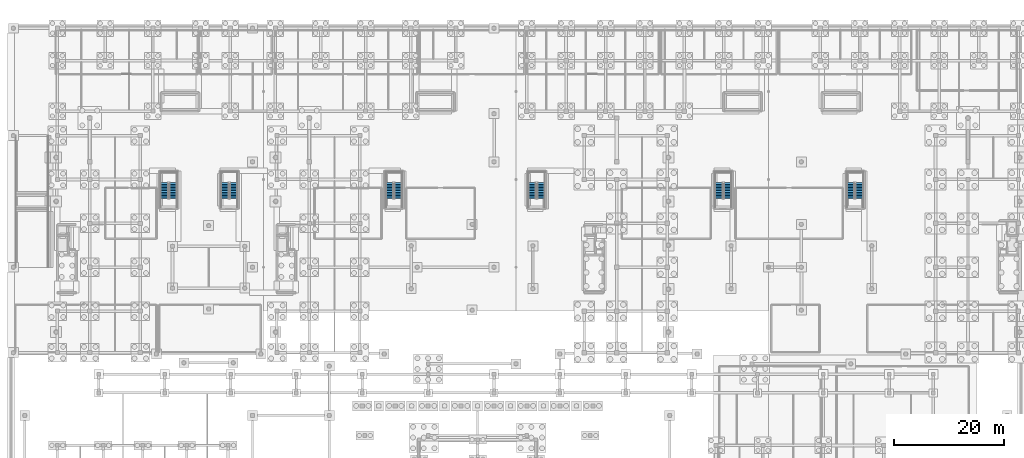
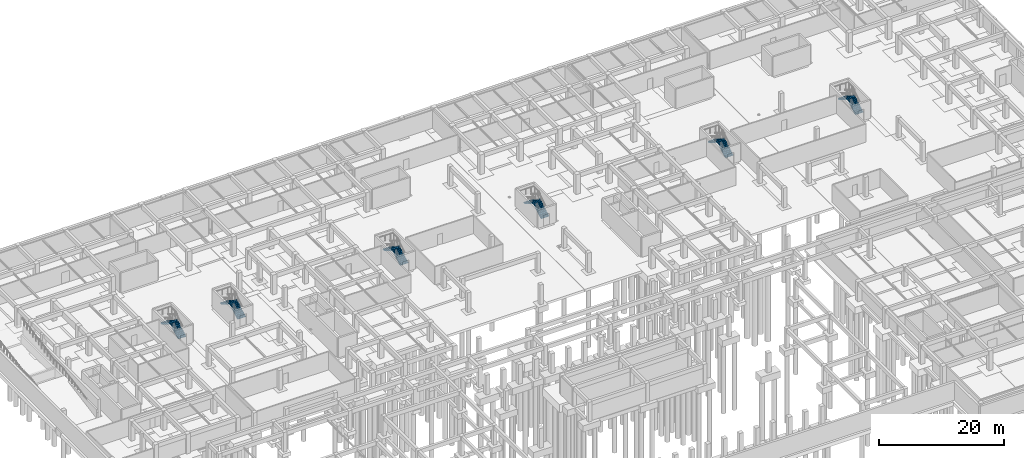
# One storey, part 28 of 35: 12 stair flights, 6 elements without a shape of their own.
"""IFC4 building model written with IfcOpenShell, lengths in metres."""

from ifc_helpers import new_model, si_unit, direction, frame, origin, place, context, subcontext, project, spatial, polyline, outline, extrude, material, type_object, element, aggregate, save


model = new_model("IFC4")

# Units and contexts
model_context = context("Model", 3, precision=1e-05, world=origin(), true_north=direction((0.0, 1.0)))
body_context = subcontext(model_context, "Body", "Model", "MODEL_VIEW")
ifc_project = project(units=[si_unit("LENGTHUNIT", "METRE"), si_unit("AREAUNIT", "SQUARE_METRE"), si_unit("VOLUMEUNIT", "CUBIC_METRE"), si_unit("PLANEANGLEUNIT", "RADIAN"), si_unit("MASSUNIT", "GRAM", prefix="KILO")], contexts=[model_context])

# Site, building, storey
site_placement = place(None, origin())
site = spatial("IfcSite", under=ifc_project, at=site_placement, CompositionType="ELEMENT")
building_placement = place(site_placement, origin())
building = spatial("IfcBuilding", under=site, at=building_placement, Name="Keldmere Railside Commons", CompositionType="ELEMENT")
storey_placement = place(building_placement, frame((0.0, 0.0, -3.840087890625)))
storey = spatial("IfcBuildingStorey", under=building, at=storey_placement, Name="B1", CompositionType="ELEMENT", Elevation=-3.840087890625)

# Stair, stair flights
ifc_material = material(Name="Concrete H-30 (C30/37)", Category="concrete")
stair_type = type_object("IfcStairType", Name="Basement Garage Dogleg Escape Stair 1450", PredefinedType="HALF_TURN_STAIR", material=ifc_material)
stair_1_placement = place(storey_placement, origin())
stair_1 = element("IfcStair", 1, at=stair_1_placement, inside=storey, type_object=stair_type, Name="B1 Basement Garage Escape Stair ST-B1", PredefinedType="HALF_TURN_STAIR")
stair_flight_type = type_object("IfcStairFlightType", Name="Basement Escape Stair Flight 1450", PredefinedType="STRAIGHT", material=ifc_material)
stair_flight_1_placement = place(storey_placement, frame((29.574951171875, 84.5, 0.0), z_axis=(0.0, 0.0, 1.0), x_axis=(0.0, 1.0, 0.0)))
stair_flight_1 = element("IfcStairFlight", 2, at=stair_flight_1_placement, type_object=stair_flight_type, Name="ST-B1 flight 1", NumberOfRisers=11, NumberOfTreads=10, PredefinedType="STRAIGHT", RiserHeight=0.174545455, TreadLength=0.29, context=body_context, shape_type="SweptSolid", body=[
    extrude(outline(polyline([(0.0, 0.0), (0.0, 0.174560546875), (0.2900390625, 0.174560546875), (0.2900390625, 0.34912109375), (0.580078125, 0.34912109375), (0.580078125, 0.523681640625), (0.8701171875, 0.523681640625), (0.8701171875, 0.6982421875), (1.159912109375, 0.6982421875), (1.159912109375, 0.872802734375), (1.449951171875, 0.872802734375), (1.449951171875, 1.04736328125), (1.739990234375, 1.04736328125), (1.739990234375, 1.221923828125), (2.030029296875, 1.221923828125), (2.030029296875, 1.396484375), (2.320068359375, 1.396484375), (2.320068359375, 1.57080078125), (2.610107421875, 1.57080078125), (2.610107421875, 1.745361328125), (2.89990234375, 1.745361328125), (2.89990234375, 1.919921875), (2.89990234375, 1.535400390625), (0.348876953125, 0.0), (0.0, 0.0)])), frame((0.0, 0.72509765625, 0.0), z_axis=(0.0, -1.0, 0.0), x_axis=(1.0, 0.0, 0.0)), (0.0, 0.0, 1.0), 1.449951171875),
])
stair_flight_2_placement = place(storey_placement, frame((27.97509765625, 87.39990234375, 1.920166015625), z_axis=(0.0, 0.0, 1.0), x_axis=(0.0, -1.0, 0.0)))
stair_flight_2 = element("IfcStairFlight", 3, at=stair_flight_2_placement, type_object=stair_flight_type, Name="ST-B1 flight 2", NumberOfRisers=11, NumberOfTreads=10, PredefinedType="STRAIGHT", RiserHeight=0.174545455, TreadLength=0.29, context=body_context, shape_type="SweptSolid", body=[
    extrude(outline(polyline([(0.0, 0.0), (0.0, 0.174560546875), (0.2900390625, 0.174560546875), (0.2900390625, 0.34912109375), (0.580078125, 0.34912109375), (0.580078125, 0.523681640625), (0.8701171875, 0.523681640625), (0.8701171875, 0.6982421875), (1.159912109375, 0.6982421875), (1.159912109375, 0.872802734375), (1.449951171875, 0.872802734375), (1.449951171875, 1.04736328125), (1.739990234375, 1.04736328125), (1.739990234375, 1.221923828125), (2.030029296875, 1.221923828125), (2.030029296875, 1.396484375), (2.320068359375, 1.396484375), (2.320068359375, 1.57080078125), (2.610107421875, 1.57080078125), (2.610107421875, 1.745361328125), (2.89990234375, 1.745361328125), (2.89990234375, 1.919921875), (2.89990234375, 1.535400390625), (0.348876953125, 0.0), (0.0, 0.0)])), frame((0.0, 0.72509765625, 0.0), z_axis=(0.0, -1.0, 0.0), x_axis=(1.0, 0.0, 0.0)), (0.0, 0.0, 1.0), 1.449951171875),
])
aggregate(stair_1, [stair_flight_1, stair_flight_2])

stair_2_placement = place(storey_placement, origin())
stair_2 = element("IfcStair", 4, at=stair_2_placement, inside=storey, type_object=stair_type, Name="B1 Basement Garage Escape Stair ST-B2", PredefinedType="HALF_TURN_STAIR")
stair_flight_3_placement = place(storey_placement, frame((40.574951171875, 84.5, 0.0), z_axis=(0.0, 0.0, 1.0), x_axis=(0.0, 1.0, 0.0)))
stair_flight_3 = element("IfcStairFlight", 5, at=stair_flight_3_placement, type_object=stair_flight_type, Name="ST-B2 flight 1", NumberOfRisers=11, NumberOfTreads=10, PredefinedType="STRAIGHT", RiserHeight=0.174545455, TreadLength=0.29, context=body_context, shape_type="SweptSolid", body=[
    extrude(outline(polyline([(0.0, 0.0), (0.0, 0.174560546875), (0.2900390625, 0.174560546875), (0.2900390625, 0.34912109375), (0.580078125, 0.34912109375), (0.580078125, 0.523681640625), (0.8701171875, 0.523681640625), (0.8701171875, 0.6982421875), (1.159912109375, 0.6982421875), (1.159912109375, 0.872802734375), (1.449951171875, 0.872802734375), (1.449951171875, 1.04736328125), (1.739990234375, 1.04736328125), (1.739990234375, 1.221923828125), (2.030029296875, 1.221923828125), (2.030029296875, 1.396484375), (2.320068359375, 1.396484375), (2.320068359375, 1.57080078125), (2.610107421875, 1.57080078125), (2.610107421875, 1.745361328125), (2.89990234375, 1.745361328125), (2.89990234375, 1.919921875), (2.89990234375, 1.535400390625), (0.348876953125, 0.0), (0.0, 0.0)])), frame((0.0, 0.72509765625, 0.0), z_axis=(0.0, -1.0, 0.0), x_axis=(1.0, 0.0, 0.0)), (0.0, 0.0, 1.0), 1.449951171875),
])
stair_flight_4_placement = place(storey_placement, frame((38.97509765625, 87.39990234375, 1.920166015625), z_axis=(0.0, 0.0, 1.0), x_axis=(0.0, -1.0, 0.0)))
stair_flight_4 = element("IfcStairFlight", 6, at=stair_flight_4_placement, type_object=stair_flight_type, Name="ST-B2 flight 2", NumberOfRisers=11, NumberOfTreads=10, PredefinedType="STRAIGHT", RiserHeight=0.174545455, TreadLength=0.29, context=body_context, shape_type="SweptSolid", body=[
    extrude(outline(polyline([(0.0, 0.0), (0.0, 0.174560546875), (0.2900390625, 0.174560546875), (0.2900390625, 0.34912109375), (0.580078125, 0.34912109375), (0.580078125, 0.523681640625), (0.8701171875, 0.523681640625), (0.8701171875, 0.6982421875), (1.159912109375, 0.6982421875), (1.159912109375, 0.872802734375), (1.449951171875, 0.872802734375), (1.449951171875, 1.04736328125), (1.739990234375, 1.04736328125), (1.739990234375, 1.221923828125), (2.030029296875, 1.221923828125), (2.030029296875, 1.396484375), (2.320068359375, 1.396484375), (2.320068359375, 1.57080078125), (2.610107421875, 1.57080078125), (2.610107421875, 1.745361328125), (2.89990234375, 1.745361328125), (2.89990234375, 1.919921875), (2.89990234375, 1.535400390625), (0.348876953125, 0.0), (0.0, 0.0)])), frame((0.0, 0.72509765625, 0.0), z_axis=(0.0, -1.0, 0.0), x_axis=(1.0, 0.0, 0.0)), (0.0, 0.0, 1.0), 1.449951171875),
])
aggregate(stair_2, [stair_flight_3, stair_flight_4])

stair_3_placement = place(storey_placement, origin())
stair_3 = element("IfcStair", 7, at=stair_3_placement, inside=storey, type_object=stair_type, Name="B1 Basement Garage Escape Stair ST-B3", PredefinedType="HALF_TURN_STAIR")
stair_flight_5_placement = place(storey_placement, frame((70.574951171875, 84.5, 0.0), z_axis=(0.0, 0.0, 1.0), x_axis=(0.0, 1.0, 0.0)))
stair_flight_5 = element("IfcStairFlight", 8, at=stair_flight_5_placement, type_object=stair_flight_type, Name="ST-B3 flight 1", NumberOfRisers=11, NumberOfTreads=10, PredefinedType="STRAIGHT", RiserHeight=0.174545455, TreadLength=0.29, context=body_context, shape_type="SweptSolid", body=[
    extrude(outline(polyline([(0.0, 0.0), (0.0, 0.174560546875), (0.2900390625, 0.174560546875), (0.2900390625, 0.34912109375), (0.580078125, 0.34912109375), (0.580078125, 0.523681640625), (0.8701171875, 0.523681640625), (0.8701171875, 0.6982421875), (1.159912109375, 0.6982421875), (1.159912109375, 0.872802734375), (1.449951171875, 0.872802734375), (1.449951171875, 1.04736328125), (1.739990234375, 1.04736328125), (1.739990234375, 1.221923828125), (2.030029296875, 1.221923828125), (2.030029296875, 1.396484375), (2.320068359375, 1.396484375), (2.320068359375, 1.57080078125), (2.610107421875, 1.57080078125), (2.610107421875, 1.745361328125), (2.89990234375, 1.745361328125), (2.89990234375, 1.919921875), (2.89990234375, 1.535400390625), (0.348876953125, 0.0), (0.0, 0.0)])), frame((0.0, 0.72509765625, 0.0), z_axis=(0.0, -1.0, 0.0), x_axis=(1.0, 0.0, 0.0)), (0.0, 0.0, 1.0), 1.449951171875),
])
stair_flight_6_placement = place(storey_placement, frame((68.97509765625, 87.39990234375, 1.920166015625), z_axis=(0.0, 0.0, 1.0), x_axis=(0.0, -1.0, 0.0)))
stair_flight_6 = element("IfcStairFlight", 9, at=stair_flight_6_placement, type_object=stair_flight_type, Name="ST-B3 flight 2", NumberOfRisers=11, NumberOfTreads=10, PredefinedType="STRAIGHT", RiserHeight=0.174545455, TreadLength=0.29, context=body_context, shape_type="SweptSolid", body=[
    extrude(outline(polyline([(0.0, 0.0), (0.0, 0.174560546875), (0.2900390625, 0.174560546875), (0.2900390625, 0.34912109375), (0.580078125, 0.34912109375), (0.580078125, 0.523681640625), (0.8701171875, 0.523681640625), (0.8701171875, 0.6982421875), (1.159912109375, 0.6982421875), (1.159912109375, 0.872802734375), (1.449951171875, 0.872802734375), (1.449951171875, 1.04736328125), (1.739990234375, 1.04736328125), (1.739990234375, 1.221923828125), (2.030029296875, 1.221923828125), (2.030029296875, 1.396484375), (2.320068359375, 1.396484375), (2.320068359375, 1.57080078125), (2.610107421875, 1.57080078125), (2.610107421875, 1.745361328125), (2.89990234375, 1.745361328125), (2.89990234375, 1.919921875), (2.89990234375, 1.535400390625), (0.348876953125, 0.0), (0.0, 0.0)])), frame((0.0, 0.72509765625, 0.0), z_axis=(0.0, -1.0, 0.0), x_axis=(1.0, 0.0, 0.0)), (0.0, 0.0, 1.0), 1.449951171875),
])
aggregate(stair_3, [stair_flight_5, stair_flight_6])

stair_4_placement = place(storey_placement, origin())
stair_4 = element("IfcStair", 10, at=stair_4_placement, inside=storey, type_object=stair_type, Name="B1 Basement Garage Escape Stair ST-B4", PredefinedType="HALF_TURN_STAIR")
stair_flight_7_placement = place(storey_placement, frame((96.574951171875, 84.5, 0.0), z_axis=(0.0, 0.0, 1.0), x_axis=(0.0, 1.0, 0.0)))
stair_flight_7 = element("IfcStairFlight", 11, at=stair_flight_7_placement, type_object=stair_flight_type, Name="ST-B4 flight 1", NumberOfRisers=11, NumberOfTreads=10, PredefinedType="STRAIGHT", RiserHeight=0.174545455, TreadLength=0.29, context=body_context, shape_type="SweptSolid", body=[
    extrude(outline(polyline([(0.0, 0.0), (0.0, 0.174560546875), (0.2900390625, 0.174560546875), (0.2900390625, 0.34912109375), (0.580078125, 0.34912109375), (0.580078125, 0.523681640625), (0.8701171875, 0.523681640625), (0.8701171875, 0.6982421875), (1.159912109375, 0.6982421875), (1.159912109375, 0.872802734375), (1.449951171875, 0.872802734375), (1.449951171875, 1.04736328125), (1.739990234375, 1.04736328125), (1.739990234375, 1.221923828125), (2.030029296875, 1.221923828125), (2.030029296875, 1.396484375), (2.320068359375, 1.396484375), (2.320068359375, 1.57080078125), (2.610107421875, 1.57080078125), (2.610107421875, 1.745361328125), (2.89990234375, 1.745361328125), (2.89990234375, 1.919921875), (2.89990234375, 1.535400390625), (0.348876953125, 0.0), (0.0, 0.0)])), frame((0.0, 0.72509765625, 0.0), z_axis=(0.0, -1.0, 0.0), x_axis=(1.0, 0.0, 0.0)), (0.0, 0.0, 1.0), 1.449951171875),
])
stair_flight_8_placement = place(storey_placement, frame((94.97509765625, 87.39990234375, 1.920166015625), z_axis=(0.0, 0.0, 1.0), x_axis=(0.0, -1.0, 0.0)))
stair_flight_8 = element("IfcStairFlight", 12, at=stair_flight_8_placement, type_object=stair_flight_type, Name="ST-B4 flight 2", NumberOfRisers=11, NumberOfTreads=10, PredefinedType="STRAIGHT", RiserHeight=0.174545455, TreadLength=0.29, context=body_context, shape_type="SweptSolid", body=[
    extrude(outline(polyline([(0.0, 0.0), (0.0, 0.174560546875), (0.2900390625, 0.174560546875), (0.2900390625, 0.34912109375), (0.580078125, 0.34912109375), (0.580078125, 0.523681640625), (0.8701171875, 0.523681640625), (0.8701171875, 0.6982421875), (1.159912109375, 0.6982421875), (1.159912109375, 0.872802734375), (1.449951171875, 0.872802734375), (1.449951171875, 1.04736328125), (1.739990234375, 1.04736328125), (1.739990234375, 1.221923828125), (2.030029296875, 1.221923828125), (2.030029296875, 1.396484375), (2.320068359375, 1.396484375), (2.320068359375, 1.57080078125), (2.610107421875, 1.57080078125), (2.610107421875, 1.745361328125), (2.89990234375, 1.745361328125), (2.89990234375, 1.919921875), (2.89990234375, 1.535400390625), (0.348876953125, 0.0), (0.0, 0.0)])), frame((0.0, 0.72509765625, 0.0), z_axis=(0.0, -1.0, 0.0), x_axis=(1.0, 0.0, 0.0)), (0.0, 0.0, 1.0), 1.449951171875),
])
aggregate(stair_4, [stair_flight_7, stair_flight_8])

stair_5_placement = place(storey_placement, origin())
stair_5 = element("IfcStair", 13, at=stair_5_placement, inside=storey, type_object=stair_type, Name="B1 Basement Garage Escape Stair ST-B5", PredefinedType="HALF_TURN_STAIR")
stair_flight_9_placement = place(storey_placement, frame((130.574951171875, 84.5, 0.0), z_axis=(0.0, 0.0, 1.0), x_axis=(0.0, 1.0, 0.0)))
stair_flight_9 = element("IfcStairFlight", 14, at=stair_flight_9_placement, type_object=stair_flight_type, Name="ST-B5 flight 1", NumberOfRisers=11, NumberOfTreads=10, PredefinedType="STRAIGHT", RiserHeight=0.174545455, TreadLength=0.29, context=body_context, shape_type="SweptSolid", body=[
    extrude(outline(polyline([(0.0, 0.0), (0.0, 0.174560546875), (0.2900390625, 0.174560546875), (0.2900390625, 0.34912109375), (0.580078125, 0.34912109375), (0.580078125, 0.523681640625), (0.8701171875, 0.523681640625), (0.8701171875, 0.6982421875), (1.159912109375, 0.6982421875), (1.159912109375, 0.872802734375), (1.449951171875, 0.872802734375), (1.449951171875, 1.04736328125), (1.739990234375, 1.04736328125), (1.739990234375, 1.221923828125), (2.030029296875, 1.221923828125), (2.030029296875, 1.396484375), (2.320068359375, 1.396484375), (2.320068359375, 1.57080078125), (2.610107421875, 1.57080078125), (2.610107421875, 1.745361328125), (2.89990234375, 1.745361328125), (2.89990234375, 1.919921875), (2.89990234375, 1.535400390625), (0.348876953125, 0.0), (0.0, 0.0)])), frame((0.0, 0.72509765625, 0.0), z_axis=(0.0, -1.0, 0.0), x_axis=(1.0, 0.0, 0.0)), (0.0, 0.0, 1.0), 1.449951171875),
])
stair_flight_10_placement = place(storey_placement, frame((128.97509765625, 87.39990234375, 1.920166015625), z_axis=(0.0, 0.0, 1.0), x_axis=(0.0, -1.0, 0.0)))
stair_flight_10 = element("IfcStairFlight", 15, at=stair_flight_10_placement, type_object=stair_flight_type, Name="ST-B5 flight 2", NumberOfRisers=11, NumberOfTreads=10, PredefinedType="STRAIGHT", RiserHeight=0.174545455, TreadLength=0.29, context=body_context, shape_type="SweptSolid", body=[
    extrude(outline(polyline([(0.0, 0.0), (0.0, 0.174560546875), (0.2900390625, 0.174560546875), (0.2900390625, 0.34912109375), (0.580078125, 0.34912109375), (0.580078125, 0.523681640625), (0.8701171875, 0.523681640625), (0.8701171875, 0.6982421875), (1.159912109375, 0.6982421875), (1.159912109375, 0.872802734375), (1.449951171875, 0.872802734375), (1.449951171875, 1.04736328125), (1.739990234375, 1.04736328125), (1.739990234375, 1.221923828125), (2.030029296875, 1.221923828125), (2.030029296875, 1.396484375), (2.320068359375, 1.396484375), (2.320068359375, 1.57080078125), (2.610107421875, 1.57080078125), (2.610107421875, 1.745361328125), (2.89990234375, 1.745361328125), (2.89990234375, 1.919921875), (2.89990234375, 1.535400390625), (0.348876953125, 0.0), (0.0, 0.0)])), frame((0.0, 0.72509765625, 0.0), z_axis=(0.0, -1.0, 0.0), x_axis=(1.0, 0.0, 0.0)), (0.0, 0.0, 1.0), 1.449951171875),
])
aggregate(stair_5, [stair_flight_9, stair_flight_10])

stair_6_placement = place(storey_placement, origin())
stair_6 = element("IfcStair", 16, at=stair_6_placement, inside=storey, type_object=stair_type, Name="B1 Basement Garage Escape Stair ST-B6", PredefinedType="HALF_TURN_STAIR")
stair_flight_11_placement = place(storey_placement, frame((154.574951171875, 84.5, 0.0), z_axis=(0.0, 0.0, 1.0), x_axis=(0.0, 1.0, 0.0)))
stair_flight_11 = element("IfcStairFlight", 17, at=stair_flight_11_placement, type_object=stair_flight_type, Name="ST-B6 flight 1", NumberOfRisers=11, NumberOfTreads=10, PredefinedType="STRAIGHT", RiserHeight=0.174545455, TreadLength=0.29, context=body_context, shape_type="SweptSolid", body=[
    extrude(outline(polyline([(0.0, 0.0), (0.0, 0.174560546875), (0.2900390625, 0.174560546875), (0.2900390625, 0.34912109375), (0.580078125, 0.34912109375), (0.580078125, 0.523681640625), (0.8701171875, 0.523681640625), (0.8701171875, 0.6982421875), (1.159912109375, 0.6982421875), (1.159912109375, 0.872802734375), (1.449951171875, 0.872802734375), (1.449951171875, 1.04736328125), (1.739990234375, 1.04736328125), (1.739990234375, 1.221923828125), (2.030029296875, 1.221923828125), (2.030029296875, 1.396484375), (2.320068359375, 1.396484375), (2.320068359375, 1.57080078125), (2.610107421875, 1.57080078125), (2.610107421875, 1.745361328125), (2.89990234375, 1.745361328125), (2.89990234375, 1.919921875), (2.89990234375, 1.535400390625), (0.348876953125, 0.0), (0.0, 0.0)])), frame((0.0, 0.72509765625, 0.0), z_axis=(0.0, -1.0, 0.0), x_axis=(1.0, 0.0, 0.0)), (0.0, 0.0, 1.0), 1.449951171875),
])
stair_flight_12_placement = place(storey_placement, frame((152.97509765625, 87.39990234375, 1.920166015625), z_axis=(0.0, 0.0, 1.0), x_axis=(0.0, -1.0, 0.0)))
stair_flight_12 = element("IfcStairFlight", 18, at=stair_flight_12_placement, type_object=stair_flight_type, Name="ST-B6 flight 2", NumberOfRisers=11, NumberOfTreads=10, PredefinedType="STRAIGHT", RiserHeight=0.174545455, TreadLength=0.29, context=body_context, shape_type="SweptSolid", body=[
    extrude(outline(polyline([(0.0, 0.0), (0.0, 0.174560546875), (0.2900390625, 0.174560546875), (0.2900390625, 0.34912109375), (0.580078125, 0.34912109375), (0.580078125, 0.523681640625), (0.8701171875, 0.523681640625), (0.8701171875, 0.6982421875), (1.159912109375, 0.6982421875), (1.159912109375, 0.872802734375), (1.449951171875, 0.872802734375), (1.449951171875, 1.04736328125), (1.739990234375, 1.04736328125), (1.739990234375, 1.221923828125), (2.030029296875, 1.221923828125), (2.030029296875, 1.396484375), (2.320068359375, 1.396484375), (2.320068359375, 1.57080078125), (2.610107421875, 1.57080078125), (2.610107421875, 1.745361328125), (2.89990234375, 1.745361328125), (2.89990234375, 1.919921875), (2.89990234375, 1.535400390625), (0.348876953125, 0.0), (0.0, 0.0)])), frame((0.0, 0.72509765625, 0.0), z_axis=(0.0, -1.0, 0.0), x_axis=(1.0, 0.0, 0.0)), (0.0, 0.0, 1.0), 1.449951171875),
])
aggregate(stair_6, [stair_flight_11, stair_flight_12])

save(model, "model.ifc")
